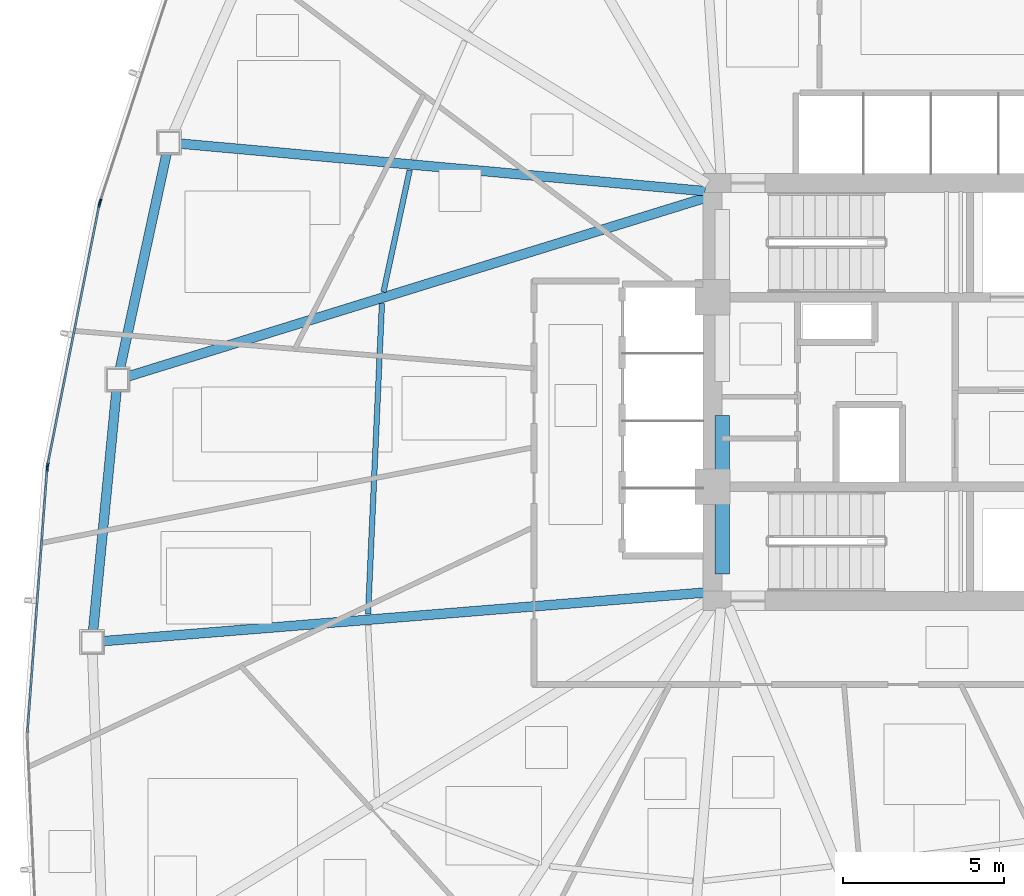
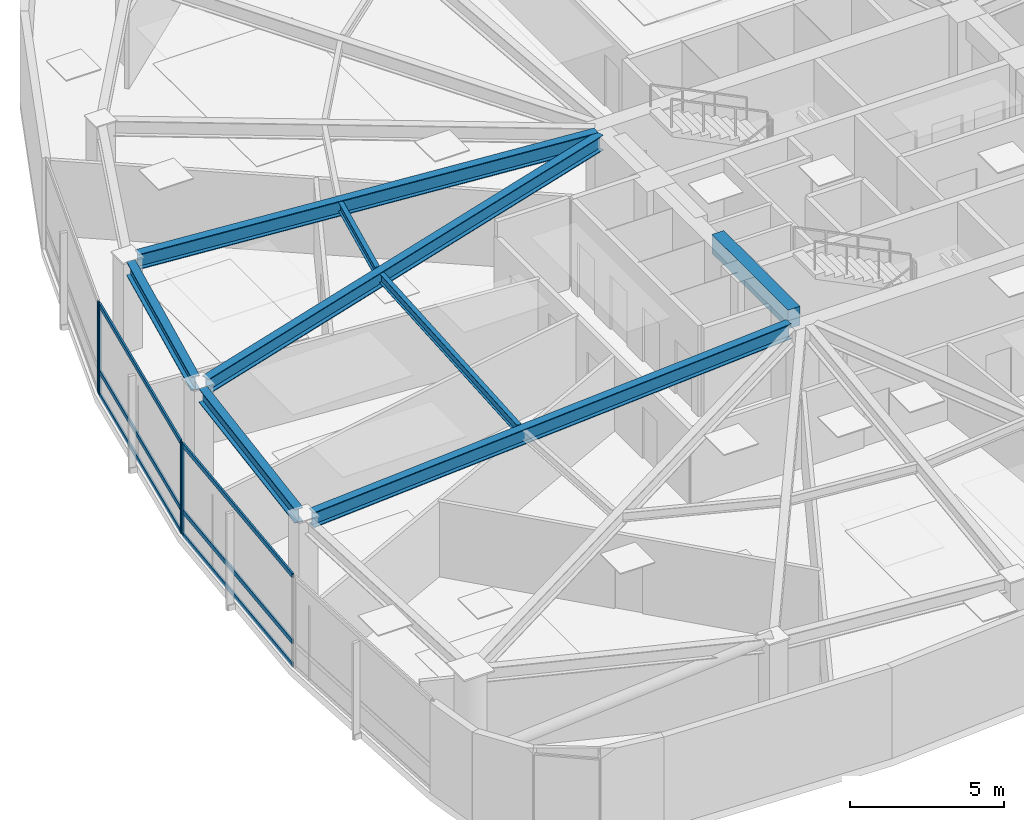
# One storey, part 4 of 17: 10 members, 8 beams, 3 elements without a shape of their own.
"""IFC4 building model written with IfcOpenShell, lengths in metres."""

from ifc_helpers import new_model, si_unit, direction, frame, origin, origin_2d, place, context, subcontext, project, spatial, rectangle, hollow_rectangle, i_section, extrude, source, transform, mapped, material, layer, layer_set, material_profile, profile_set, type_object, type_shapes, element, aggregate, save


model = new_model("IFC4")

# Units and contexts
model_context = context("Model", 3, precision=1e-05, world=origin(), true_north=direction((0.0, 1.0)))
body_context = subcontext(model_context, "Body", "Model", "MODEL_VIEW")
ifc_project = project(units=[si_unit("LENGTHUNIT", "METRE"), si_unit("AREAUNIT", "SQUARE_METRE"), si_unit("VOLUMEUNIT", "CUBIC_METRE"), si_unit("PLANEANGLEUNIT", "RADIAN"), si_unit("MASSUNIT", "GRAM", prefix="KILO")], contexts=[model_context])

# Site, building, storey
site_placement = place(None, origin())
site = spatial("IfcSite", under=ifc_project, at=site_placement, CompositionType="ELEMENT")
building_placement = place(site_placement, origin())
building = spatial("IfcBuilding", under=site, at=building_placement, Name="Tavelor Broadcast Tower", CompositionType="ELEMENT")
storey_placement = place(building_placement, frame((0.0, 0.0, 90.0)))
storey = spatial("IfcBuildingStorey", under=building, at=storey_placement, Name="L21", CompositionType="ELEMENT", Elevation=90.0)

# Beams
ifc_material_1 = material(Name="Concrete C40/50", Category="concrete")
ifc_material_profile_1 = material_profile(ifc_material_1, rectangle(XDim=0.449951171875, YDim=0.75, at=origin_2d()), Name="RC 450x750")
ifc_profile_set_1 = profile_set([ifc_material_profile_1], Name="Concrete C40/50")
beam_type_1 = type_object("IfcBeamType", Name="Basement Core Trim Beam 450x750", PredefinedType="BEAM", material=ifc_profile_set_1)
beam_1_placement = place(storey_placement, frame((43.39990234375, 39.327880859375, 3.22509765625), z_axis=(0.0, 1.0, 0.0), x_axis=(-1.0, 0.0, 0.0)))
element("IfcBeam", 1, at=beam_1_placement, inside=storey, type_object=beam_type_1, Name="L21 Core West-S Tie Girder", PredefinedType="BEAM", context=body_context, shape_type="SweptSolid", body=[
    extrude(rectangle(XDim=0.449951171875, YDim=0.75, at=origin_2d()), origin(), (0.0, 0.0, 1.0), 4.944091796875),
])
ifc_material_2 = material(Name="Steel S355", Category="steel")
ifc_material_profile_2 = material_profile(ifc_material_2, i_section(OverallWidth=0.169921875, OverallDepth=0.360107421875, WebThickness=0.008056640625, FlangeThickness=0.0126953125, at=origin_2d()), Name="IPE 360")
ifc_profile_set_2 = profile_set([ifc_material_profile_2], Name="Steel S355")
beam_type_2 = type_object("IfcBeamType", Name="Composite Floor Joist T2 IPE 360", PredefinedType="JOIST", material=ifc_profile_set_2)
beam_2_placement = place(storey_placement, frame((33.679931640625, 51.899658203125, 3.419921875), z_axis=(-0.210632825907, -0.97756524726, 0.0), x_axis=(0.97756524726, -0.210632825907, 0.0)))
element("IfcBeam", 2, at=beam_2_placement, inside=storey, type_object=beam_type_2, Name="L21 Secondary Composite Floor Joist 04", PredefinedType="JOIST", context=body_context, shape_type="SweptSolid", body=[
    extrude(i_section(OverallWidth=0.169921875, OverallDepth=0.360107421875, WebThickness=0.008056640625, FlangeThickness=0.0126953125, at=origin_2d()), origin(), (0.0, 0.0, 1.0), 3.8818359375),
])
beam_3_placement = place(storey_placement, frame((32.816162109375, 47.747314453125, 3.419921875), z_axis=(-0.044602263152, -0.999004823873, 0.0), x_axis=(0.999004823873, -0.044602263152, 0.0)))
element("IfcBeam", 3, at=beam_3_placement, inside=storey, type_object=beam_type_2, Name="L21 Secondary Composite Floor Joist 05", PredefinedType="JOIST", context=body_context, shape_type="SweptSolid", body=[
    extrude(i_section(OverallWidth=0.169921875, OverallDepth=0.360107421875, WebThickness=0.008056640625, FlangeThickness=0.0126953125, at=origin_2d()), origin(), (0.0, 0.0, 1.0), 9.66650390625),
])
ifc_material_profile_3 = material_profile(ifc_material_2, i_section(OverallWidth=0.300048828125, OverallDepth=0.550048828125, WebThickness=0.014892578125, FlangeThickness=0.029052734375, at=origin_2d()), Name="HEB 550")
ifc_profile_set_3 = profile_set([ifc_material_profile_3], Name="Steel S355")
beam_type_3 = type_object("IfcBeamType", Name="Perimeter Spandrel Beam T2 HEB 550", PredefinedType="SPANDREL", material=ifc_profile_set_3)
beam_4_placement = place(storey_placement, frame((26.1181640625, 52.4296875, 3.324951171875), z_axis=(-0.211875421449, -0.977296682582, 0.0), x_axis=(0.977296682582, -0.211875421449, 0.0)))
element("IfcBeam", 4, at=beam_4_placement, inside=storey, type_object=beam_type_3, Name="L21 Framed-Tube Ring Spandrel 04", PredefinedType="SPANDREL", context=body_context, shape_type="SweptSolid", body=[
    extrude(i_section(OverallWidth=0.300048828125, OverallDepth=0.550048828125, WebThickness=0.014892578125, FlangeThickness=0.029052734375, at=origin_2d()), origin(), (0.0, 0.0, 1.0), 6.876708984375),
])
beam_5_placement = place(storey_placement, frame((24.557373046875, 45.04638671875, 3.324951171875), z_axis=(-0.096929220198, -0.9952912771, 0.0), x_axis=(0.9952912771, -0.096929220198, 0.0)))
element("IfcBeam", 5, at=beam_5_placement, inside=storey, type_object=beam_type_3, Name="L21 Framed-Tube Ring Spandrel 05", PredefinedType="SPANDREL", context=body_context, shape_type="SweptSolid", body=[
    extrude(i_section(OverallWidth=0.300048828125, OverallDepth=0.550048828125, WebThickness=0.014892578125, FlangeThickness=0.029052734375, at=origin_2d()), origin(), (0.0, 0.0, 1.0), 7.531005859375),
])
ifc_material_profile_4 = material_profile(ifc_material_2, i_section(OverallWidth=0.300048828125, OverallDepth=0.60009765625, WebThickness=0.015380859375, FlangeThickness=0.030029296875, at=origin_2d()), Name="HEB 600")
ifc_profile_set_4 = profile_set([ifc_material_profile_4], Name="Steel S355")
beam_type_4 = type_object("IfcBeamType", Name="Radial Floor Girder T2 HEB 600", PredefinedType="BEAM", material=ifc_profile_set_4)
beam_6_placement = place(storey_placement, frame((42.874267578125, 51.24755859375, 3.300048828125), z_axis=(-0.99592702313, 0.090162989073, 0.0), x_axis=(-0.090162989073, -0.99592702313, 0.0)))
element("IfcBeam", 6, at=beam_6_placement, inside=storey, type_object=beam_type_4, Name="L21 Radial Primary Floor Girder 04", PredefinedType="BEAM", context=body_context, shape_type="SweptSolid", body=[
    extrude(i_section(OverallWidth=0.300048828125, OverallDepth=0.60009765625, WebThickness=0.015380859375, FlangeThickness=0.030029296875, at=origin_2d()), origin(), (0.0, 0.0, 1.0), 16.417236328125),
])
beam_7_placement = place(storey_placement, frame((42.8955078125, 51.0439453125, 3.300048828125), z_axis=(-0.9553264377, -0.295552698231, 0.0), x_axis=(0.295552698231, -0.9553264377, 0.0)))
element("IfcBeam", 7, at=beam_7_placement, inside=storey, type_object=beam_type_4, Name="L21 Radial Primary Floor Girder 05", PredefinedType="BEAM", context=body_context, shape_type="SweptSolid", body=[
    extrude(i_section(OverallWidth=0.300048828125, OverallDepth=0.60009765625, WebThickness=0.015380859375, FlangeThickness=0.030029296875, at=origin_2d()), origin(), (0.0, 0.0, 1.0), 18.82568359375),
])
beam_8_placement = place(storey_placement, frame((42.873779296875, 38.757568359375, 3.300048828125), z_axis=(-0.996753141144, -0.080518169498, 0.0), x_axis=(0.080518169498, -0.996753141144, 0.0)))
element("IfcBeam", 8, at=beam_8_placement, inside=storey, type_object=beam_type_4, Name="L21 Radial Primary Floor Girder 06", PredefinedType="BEAM", context=body_context, shape_type="SweptSolid", body=[
    extrude(i_section(OverallWidth=0.300048828125, OverallDepth=0.60009765625, WebThickness=0.015380859375, FlangeThickness=0.030029296875, at=origin_2d()), origin(), (0.0, 0.0, 1.0), 18.80517578125),
])

# Curtain wall, member
ifc_material_3 = material(Name="Architectural Anodized Aluminium", Category="aluminium")
ifc_layer = layer(ifc_material_3, 0.179931640625)
ifc_layer_set = layer_set([ifc_layer], Name="Architectural Anodized Aluminium")
curtain_wall_type = type_object("IfcCurtainWallType", Name="Tower Low-Zone Unitised Curtain Wall CW02", PredefinedType="NOTDEFINED", material=ifc_layer_set)
curtain_wall_1_placement = place(storey_placement, origin())
curtain_wall_1 = element("IfcCurtainWall", 9, at=curtain_wall_1_placement, inside=storey, type_object=curtain_wall_type, Name="L21 Curtain Wall CW02 Run 205", PredefinedType="NOTDEFINED")
ifc_material_profile_5 = material_profile(ifc_material_3, hollow_rectangle(XDim=0.06494140625, YDim=0.179931640625, WallThickness=0.02197265625, at=origin_2d()), Name="RHS 65x180x22")
ifc_profile_set_5 = profile_set([ifc_material_profile_5], Name="Architectural Anodized Aluminium")
member_type_1 = type_object("IfcMemberType", Name="CW02 Extruded Aluminium Mullion 65x180", PredefinedType="MULLION", material=ifc_profile_set_5)
shared_shape_1 = source(origin(), body_context, "Body", "SweptSolid", [
    extrude(hollow_rectangle(XDim=0.06494140625, YDim=0.179931640625, WallThickness=0.02197265625, at=origin_2d()), origin(), (0.0, 0.0, 1.0), 3.60009765625),
])
type_shapes(member_type_1, [shared_shape_1])
member_1_placement = place(storey_placement, frame((24.047119140625, 50.9130859375, 0.0), z_axis=(0.0, 0.0, 1.0), x_axis=(0.950104894143, -0.311930585428, 0.0)))
member_1 = element("IfcMember", 10, at=member_1_placement, type_object=member_type_1, Name="CW02 mullion 2", PredefinedType="MULLION", context=body_context, shape_type="MappedRepresentation", body=[
    mapped(shared_shape_1, transform((0.0, 0.0, 0.0), scale=1.0)),
])
aggregate(curtain_wall_1, [member_1])

# Curtain wall, members
curtain_wall_2_placement = place(storey_placement, origin())
curtain_wall_2 = element("IfcCurtainWall", 11, at=curtain_wall_2_placement, inside=storey, type_object=curtain_wall_type, Name="L21 Curtain Wall CW02 Run 206", PredefinedType="NOTDEFINED")
member_2_placement = place(storey_placement, frame((24.023193359375, 50.821533203125, 0.0), z_axis=(0.0, 0.0, 1.0), x_axis=(0.9808726377, -0.194650632186, 0.0)))
member_2 = element("IfcMember", 12, at=member_2_placement, type_object=member_type_1, Name="CW02 mullion 1", PredefinedType="MULLION", context=body_context, shape_type="MappedRepresentation", body=[
    mapped(shared_shape_1, transform((0.0, 0.0, 0.0), scale=1.0)),
])
member_3_placement = place(storey_placement, frame((22.41357421875, 42.710693359375, 0.0), z_axis=(0.0, 0.0, 1.0), x_axis=(0.9808726377, -0.194650632186, 0.0)))
member_3 = element("IfcMember", 13, at=member_3_placement, type_object=member_type_1, Name="CW02 mullion 2", PredefinedType="MULLION", context=body_context, shape_type="MappedRepresentation", body=[
    mapped(shared_shape_1, transform((0.0, 0.0, 0.0), scale=1.0)),
])

# Curtain wall, member
curtain_wall_3_placement = place(storey_placement, origin())
curtain_wall_3 = element("IfcCurtainWall", 14, at=curtain_wall_3_placement, inside=storey, type_object=curtain_wall_type, Name="L21 Curtain Wall CW02 Run 207", PredefinedType="NOTDEFINED")
member_4_placement = place(storey_placement, frame((22.40087890625, 42.61669921875, 0.0), z_axis=(0.0, 0.0, 1.0), x_axis=(0.997218918946, -0.074528032949, 0.0)))
member_4 = element("IfcMember", 15, at=member_4_placement, type_object=member_type_1, Name="CW02 mullion 1", PredefinedType="MULLION", context=body_context, shape_type="MappedRepresentation", body=[
    mapped(shared_shape_1, transform((0.0, 0.0, 0.0), scale=1.0)),
])

# Member
ifc_material_profile_6 = material_profile(ifc_material_3, hollow_rectangle(XDim=0.06494140625, YDim=0.179931640625, WallThickness=0.02197265625, at=origin_2d()), Name="RHS 65x180x22")
ifc_profile_set_6 = profile_set([ifc_material_profile_6], Name="Architectural Anodized Aluminium")
member_type_2 = type_object("IfcMemberType", Name="CW02 Extruded Aluminium Transom 65x180", PredefinedType="USERDEFINED", material=ifc_profile_set_6)
shared_shape_2 = source(origin(), body_context, "Body", "SweptSolid", [
    extrude(hollow_rectangle(XDim=0.06494140625, YDim=0.179931640625, WallThickness=0.02197265625, at=origin_2d()), origin(), (0.0, 0.0, 1.0), 8.203857421875),
])
type_shapes(member_type_2, [shared_shape_2])
member_5_placement = place(storey_placement, frame((24.016845703125, 50.78955078125, 0.032470703125), z_axis=(-0.19465656032, -0.980871461265, 0.0), x_axis=(0.980871461265, -0.19465656032, 0.0)))
member_5 = element("IfcMember", 16, at=member_5_placement, type_object=member_type_2, Name="CW02 transom 1.1", ObjectType="TRANSOM", PredefinedType="USERDEFINED", context=body_context, shape_type="MappedRepresentation", body=[
    mapped(shared_shape_2, transform((0.0, 0.0, 0.0), scale=1.0)),
])

member_6_placement = place(storey_placement, frame((24.016845703125, 50.78955078125, 0.949951171875), z_axis=(-0.19465656032, -0.980871461265, 0.0), x_axis=(0.980871461265, -0.19465656032, 0.0)))
member_6 = element("IfcMember", 17, at=member_6_placement, type_object=member_type_2, Name="CW02 transom 1.2", ObjectType="TRANSOM", PredefinedType="USERDEFINED", context=body_context, shape_type="MappedRepresentation", body=[
    mapped(shared_shape_2, transform((0.0, 0.0, 0.0), scale=1.0)),
])

member_7_placement = place(storey_placement, frame((24.016845703125, 50.78955078125, 3.5673828125), z_axis=(-0.19465656032, -0.980871461265, 0.0), x_axis=(0.980871461265, -0.19465656032, 0.0)))
member_7 = element("IfcMember", 18, at=member_7_placement, type_object=member_type_2, Name="CW02 transom 1.3", ObjectType="TRANSOM", PredefinedType="USERDEFINED", context=body_context, shape_type="MappedRepresentation", body=[
    mapped(shared_shape_2, transform((0.0, 0.0, 0.0), scale=1.0)),
])

aggregate(curtain_wall_2, [member_2, member_3, member_5, member_6, member_7])

member_8_placement = place(storey_placement, frame((22.3984375, 42.584228515625, 0.032470703125), z_axis=(-0.074548021408, -0.99721742489, 0.0), x_axis=(0.99721742489, -0.074548021408, 0.0)))
member_8 = element("IfcMember", 19, at=member_8_placement, type_object=member_type_2, Name="CW02 transom 1.1", ObjectType="TRANSOM", PredefinedType="USERDEFINED", context=body_context, shape_type="MappedRepresentation", body=[
    mapped(shared_shape_2, transform((0.0, 0.0, 0.0), scale=1.0)),
])

member_9_placement = place(storey_placement, frame((22.3984375, 42.584228515625, 0.949951171875), z_axis=(-0.074548021408, -0.99721742489, 0.0), x_axis=(0.99721742489, -0.074548021408, 0.0)))
member_9 = element("IfcMember", 20, at=member_9_placement, type_object=member_type_2, Name="CW02 transom 1.2", ObjectType="TRANSOM", PredefinedType="USERDEFINED", context=body_context, shape_type="MappedRepresentation", body=[
    mapped(shared_shape_2, transform((0.0, 0.0, 0.0), scale=1.0)),
])

member_10_placement = place(storey_placement, frame((22.3984375, 42.584228515625, 3.5673828125), z_axis=(-0.074548021408, -0.99721742489, 0.0), x_axis=(0.99721742489, -0.074548021408, 0.0)))
member_10 = element("IfcMember", 21, at=member_10_placement, type_object=member_type_2, Name="CW02 transom 1.3", ObjectType="TRANSOM", PredefinedType="USERDEFINED", context=body_context, shape_type="MappedRepresentation", body=[
    mapped(shared_shape_2, transform((0.0, 0.0, 0.0), scale=1.0)),
])

aggregate(curtain_wall_3, [member_4, member_8, member_9, member_10])

save(model, "model.ifc")
